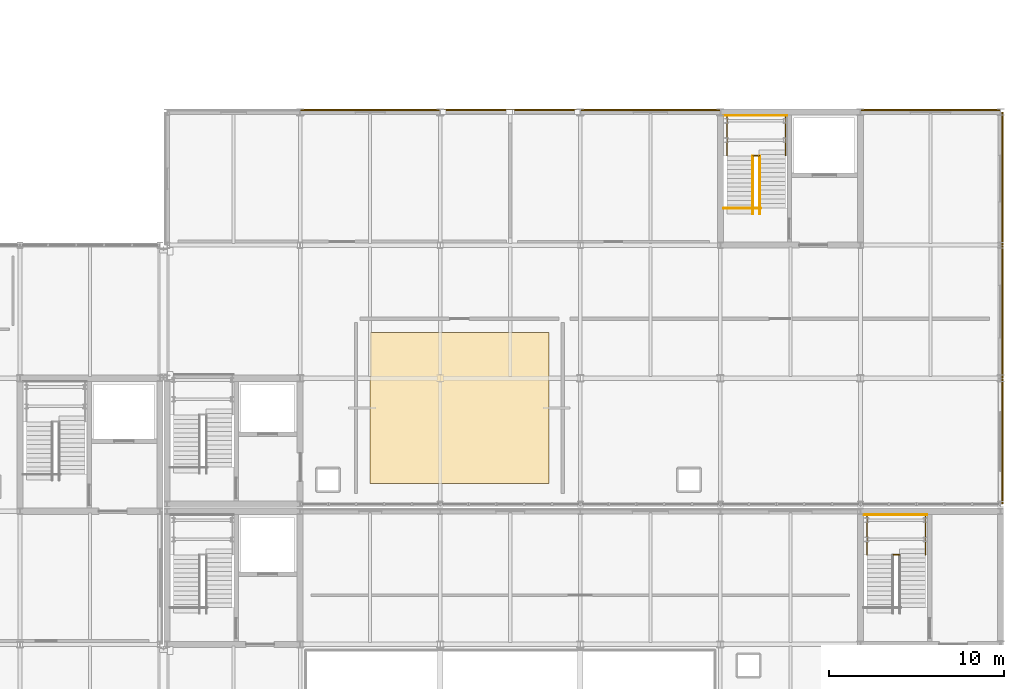
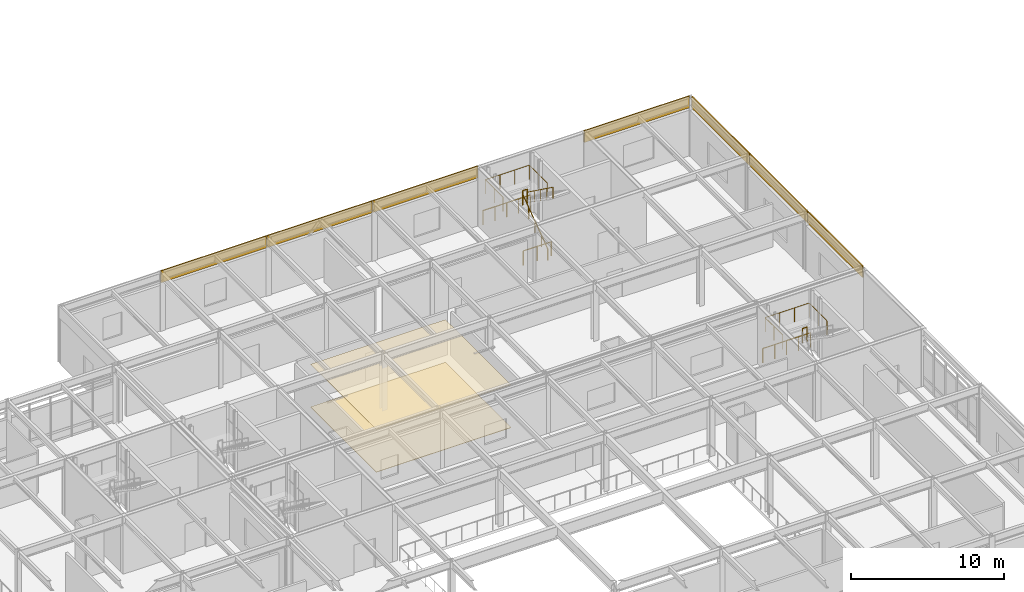
# One storey, part 104 of 104: 9 coverings, 9 railings.
"""IFC4 building model written with IfcOpenShell, lengths in metres."""

from ifc_helpers import new_model, si_unit, direction, frame, origin, origin_2d, place, context, subcontext, project, spatial, polyline, rectangle, circle, outline, extrude, material, layer, layer_set, type_object, element, save


model = new_model("IFC4")

# Units and contexts
model_context = context("Model", 3, precision=1e-05, world=origin(), true_north=direction((0.0, 1.0)))
body_context = subcontext(model_context, "Body", "Model", "MODEL_VIEW")
ifc_project = project(units=[si_unit("LENGTHUNIT", "METRE"), si_unit("AREAUNIT", "SQUARE_METRE"), si_unit("VOLUMEUNIT", "CUBIC_METRE"), si_unit("PLANEANGLEUNIT", "RADIAN"), si_unit("MASSUNIT", "GRAM", prefix="KILO")], contexts=[model_context])

# Site, building, storey
site_placement = place(None, origin())
site = spatial("IfcSite", under=ifc_project, at=site_placement, CompositionType="ELEMENT")
building_placement = place(site_placement, origin())
building = spatial("IfcBuilding", under=site, at=building_placement, Name="Zulena Civic Courthouse", CompositionType="ELEMENT")
storey_placement = place(building_placement, frame((0.0, 0.0, 10.800048828125)))
storey = spatial("IfcBuildingStorey", under=building, at=storey_placement, Name="L02", CompositionType="ELEMENT", Elevation=10.800048828125)

# Covering
ifc_material_1 = material(Name="Perforated acoustic mineral-fibre ceiling tile", Category="concrete")
ifc_layer_1 = layer(ifc_material_1, 0.02490234375)
ifc_layer_set_1 = layer_set([ifc_layer_1], Name="Perforated acoustic mineral-fibre ceiling tile")
covering_type_1 = type_object("IfcCoveringType", Name="AcousticCeiling_25", PredefinedType="CEILING", material=ifc_layer_set_1)
covering_1_placement = place(storey_placement, frame((0.0, 0.0, 3.419921875)))
element("IfcCovering", 1, at=covering_1_placement, inside=storey, type_object=covering_type_1, Name="ceil:L02:269", PredefinedType="CEILING", context=body_context, shape_type="SweptSolid", body=[
    extrude(outline(polyline([(136.0, 32.0), (146.199951171875, 32.0), (146.199951171875, 40.60009765625), (136.0, 40.60009765625), (136.0, 32.0)])), origin(), (0.0, 0.0, 1.0), 0.025146484375),
])

# Railings
ifc_material_2 = material(Name="Brushed architectural steel ASTM A36", Category="steel")
railing_type_1 = type_object("IfcRailingType", Name="InteriorGuardrail_1150", PredefinedType="GUARDRAIL", material=ifc_material_2)
railing_1_placement = place(storey_placement, frame((164.199951171875, 30.2099609375, 0.0)))
element("IfcRailing", 2, at=railing_1_placement, inside=storey, type_object=railing_type_1, Name="gr:wellN:K1B:L01", PredefinedType="GUARDRAIL", context=body_context, shape_type="SweptSolid", body=[
    extrude(circle(Radius=0.02392578125, at=origin_2d()), frame((0.00390625, 0.0, 1.1259765625), z_axis=(1.0, 0.0, 0.0), x_axis=(0.0, 1.0, 0.0)), (0.0, 0.0, 1.0), 3.592041015625),
    extrude(circle(Radius=0.02099609375, at=origin_2d()), origin(), (0.0, 0.0, 1.0), 1.097900390625),
    extrude(circle(Radius=0.02099609375, at=origin_2d()), frame((0.89990234375, 0.0, 0.0)), (0.0, 0.0, 1.0), 1.097900390625),
    extrude(circle(Radius=0.02099609375, at=origin_2d()), frame((1.800048828125, 0.0, 0.0)), (0.0, 0.0, 1.0), 1.097900390625),
    extrude(circle(Radius=0.02099609375, at=origin_2d()), frame((2.7001953125, 0.0, 0.0)), (0.0, 0.0, 1.0), 1.097900390625),
    extrude(circle(Radius=0.02099609375, at=origin_2d()), frame((3.60009765625, 0.0, 0.0)), (0.0, 0.0, 1.0), 1.097900390625),
])
railing_2_placement = place(storey_placement, frame((164.3798828125, 27.89453125, 2.39990234375)))
element("IfcRailing", 3, at=railing_2_placement, inside=storey, type_object=railing_type_1, Name="gr:lnd:K1B:L02", PredefinedType="GUARDRAIL", context=body_context, shape_type="SweptSolid", body=[
    extrude(circle(Radius=0.02392578125, at=origin_2d()), frame((0.0, 0.00390625, 1.1259765625), z_axis=(0.0, 1.0, 0.0), x_axis=(-1.0, 0.0, 0.0)), (0.0, 0.0, 1.0), 2.3173828125),
    extrude(circle(Radius=0.02392578125, at=origin_2d()), frame((0.00390625, 2.325439453125, 1.1259765625), z_axis=(1.0, 0.0, 0.0), x_axis=(0.0, 1.0, 0.0)), (0.0, 0.0, 1.0), 3.33203125),
    extrude(circle(Radius=0.02392578125, at=origin_2d()), frame((3.340087890625, 2.321533203125, 1.1259765625), z_axis=(0.0, -1.0, 0.0), x_axis=(1.0, 0.0, 0.0)), (0.0, 0.0, 1.0), 2.3173828125),
    extrude(circle(Radius=0.02099609375, at=origin_2d()), origin(), (0.0, 0.0, 1.0), 1.097900390625),
    extrude(circle(Radius=0.02099609375, at=origin_2d()), frame((0.0, 1.16259765625, 0.0)), (0.0, 0.0, 1.0), 1.097900390625),
    extrude(circle(Radius=0.02099609375, at=origin_2d()), frame((0.0, 2.325439453125, 0.0)), (0.0, 0.0, 1.0), 1.097900390625),
    extrude(circle(Radius=0.02099609375, at=origin_2d()), frame((1.11328125, 2.325439453125, 0.0)), (0.0, 0.0, 1.0), 1.097900390625),
    extrude(circle(Radius=0.02099609375, at=origin_2d()), frame((2.226806640625, 2.325439453125, 0.0)), (0.0, 0.0, 1.0), 1.097900390625),
    extrude(circle(Radius=0.02099609375, at=origin_2d()), frame((3.340087890625, 2.325439453125, 0.0)), (0.0, 0.0, 1.0), 1.097900390625),
    extrude(circle(Radius=0.02099609375, at=origin_2d()), frame((3.340087890625, 1.16259765625, 0.0)), (0.0, 0.0, 1.0), 1.097900390625),
    extrude(circle(Radius=0.02099609375, at=origin_2d()), frame((3.340087890625, 0.0, 0.0)), (0.0, 0.0, 1.0), 1.097900390625),
])
railing_3_placement = place(storey_placement, frame((165.8798828125, 27.9150390625, 2.39990234375)))
element("IfcRailing", 4, at=railing_3_placement, inside=storey, type_object=railing_type_1, Name="gr:lndslot:K1B:L02", PredefinedType="GUARDRAIL", context=body_context, shape_type="SweptSolid", body=[
    extrude(circle(Radius=0.02392578125, at=origin_2d()), frame((0.00390625, 0.0, 1.1259765625), z_axis=(1.0, 0.0, 0.0), x_axis=(0.0, 1.0, 0.0)), (0.0, 0.0, 1.0), 0.33203125),
    extrude(circle(Radius=0.02099609375, at=origin_2d()), origin(), (0.0, 0.0, 1.0), 1.097900390625),
    extrude(circle(Radius=0.02099609375, at=origin_2d()), frame((0.340087890625, 0.0, 0.0)), (0.0, 0.0, 1.0), 1.097900390625),
])
railing_4_placement = place(storey_placement, frame((156.199951171875, 53.010009765625, 0.0)))
element("IfcRailing", 5, at=railing_4_placement, inside=storey, type_object=railing_type_1, Name="gr:wellN:K3B:L01", PredefinedType="GUARDRAIL", context=body_context, shape_type="SweptSolid", body=[
    extrude(circle(Radius=0.02392578125, at=origin_2d()), frame((0.00390625, 0.0, 1.1259765625), z_axis=(1.0, 0.0, 0.0), x_axis=(0.0, 1.0, 0.0)), (0.0, 0.0, 1.0), 3.592041015625),
    extrude(circle(Radius=0.02099609375, at=origin_2d()), origin(), (0.0, 0.0, 1.0), 1.097900390625),
    extrude(circle(Radius=0.02099609375, at=origin_2d()), frame((0.89990234375, 0.0, 0.0)), (0.0, 0.0, 1.0), 1.097900390625),
    extrude(circle(Radius=0.02099609375, at=origin_2d()), frame((1.800048828125, 0.0, 0.0)), (0.0, 0.0, 1.0), 1.097900390625),
    extrude(circle(Radius=0.02099609375, at=origin_2d()), frame((2.7001953125, 0.0, 0.0)), (0.0, 0.0, 1.0), 1.097900390625),
    extrude(circle(Radius=0.02099609375, at=origin_2d()), frame((3.60009765625, 0.0, 0.0)), (0.0, 0.0, 1.0), 1.097900390625),
])
railing_5_placement = place(storey_placement, frame((156.179931640625, 47.699951171875, 0.0)))
element("IfcRailing", 6, at=railing_5_placement, inside=storey, type_object=railing_type_1, Name="gr:wells:K3B:L02", PredefinedType="GUARDRAIL", context=body_context, shape_type="SweptSolid", body=[
    extrude(circle(Radius=0.02392578125, at=origin_2d()), frame((0.00390625, 0.0, 1.1259765625), z_axis=(1.0, 0.0, 0.0), x_axis=(0.0, 1.0, 0.0)), (0.0, 0.0, 1.0), 2.112060546875),
    extrude(circle(Radius=0.02099609375, at=origin_2d()), origin(), (0.0, 0.0, 1.0), 1.097900390625),
    extrude(circle(Radius=0.02099609375, at=origin_2d()), frame((1.06005859375, 0.0, 0.0)), (0.0, 0.0, 1.0), 1.097900390625),
    extrude(circle(Radius=0.02099609375, at=origin_2d()), frame((2.1201171875, 0.0, 0.0)), (0.0, 0.0, 1.0), 1.097900390625),
])
railing_6_placement = place(storey_placement, frame((156.3798828125, 50.694580078125, 2.39990234375)))
element("IfcRailing", 7, at=railing_6_placement, inside=storey, type_object=railing_type_1, Name="gr:lnd:K3B:L02", PredefinedType="GUARDRAIL", context=body_context, shape_type="SweptSolid", body=[
    extrude(circle(Radius=0.02392578125, at=origin_2d()), frame((0.0, 0.00390625, 1.1259765625), z_axis=(0.0, 1.0, 0.0), x_axis=(-1.0, 0.0, 0.0)), (0.0, 0.0, 1.0), 2.3173828125),
    extrude(circle(Radius=0.02392578125, at=origin_2d()), frame((0.00390625, 2.325439453125, 1.1259765625), z_axis=(1.0, 0.0, 0.0), x_axis=(0.0, 1.0, 0.0)), (0.0, 0.0, 1.0), 3.33203125),
    extrude(circle(Radius=0.02392578125, at=origin_2d()), frame((3.340087890625, 2.321533203125, 1.1259765625), z_axis=(0.0, -1.0, 0.0), x_axis=(1.0, 0.0, 0.0)), (0.0, 0.0, 1.0), 2.3173828125),
    extrude(circle(Radius=0.02099609375, at=origin_2d()), origin(), (0.0, 0.0, 1.0), 1.097900390625),
    extrude(circle(Radius=0.02099609375, at=origin_2d()), frame((0.0, 1.16259765625, 0.0)), (0.0, 0.0, 1.0), 1.097900390625),
    extrude(circle(Radius=0.02099609375, at=origin_2d()), frame((0.0, 2.325439453125, 0.0)), (0.0, 0.0, 1.0), 1.097900390625),
    extrude(circle(Radius=0.02099609375, at=origin_2d()), frame((1.11328125, 2.325439453125, 0.0)), (0.0, 0.0, 1.0), 1.097900390625),
    extrude(circle(Radius=0.02099609375, at=origin_2d()), frame((2.226806640625, 2.325439453125, 0.0)), (0.0, 0.0, 1.0), 1.097900390625),
    extrude(circle(Radius=0.02099609375, at=origin_2d()), frame((3.340087890625, 2.325439453125, 0.0)), (0.0, 0.0, 1.0), 1.097900390625),
    extrude(circle(Radius=0.02099609375, at=origin_2d()), frame((3.340087890625, 1.16259765625, 0.0)), (0.0, 0.0, 1.0), 1.097900390625),
    extrude(circle(Radius=0.02099609375, at=origin_2d()), frame((3.340087890625, 0.0, 0.0)), (0.0, 0.0, 1.0), 1.097900390625),
])
railing_7_placement = place(storey_placement, frame((157.8798828125, 50.715087890625, 2.39990234375)))
element("IfcRailing", 8, at=railing_7_placement, inside=storey, type_object=railing_type_1, Name="gr:lndslot:K3B:L02", PredefinedType="GUARDRAIL", context=body_context, shape_type="SweptSolid", body=[
    extrude(circle(Radius=0.02392578125, at=origin_2d()), frame((0.00390625, 0.0, 1.1259765625), z_axis=(1.0, 0.0, 0.0), x_axis=(0.0, 1.0, 0.0)), (0.0, 0.0, 1.0), 0.33203125),
    extrude(circle(Radius=0.02099609375, at=origin_2d()), origin(), (0.0, 0.0, 1.0), 1.097900390625),
    extrude(circle(Radius=0.02099609375, at=origin_2d()), frame((0.340087890625, 0.0, 0.0)), (0.0, 0.0, 1.0), 1.097900390625),
])

# Coverings
ifc_material_3 = material(Name="White architectural precast concrete C40/50", Category="concrete")
ifc_layer_2 = layer(ifc_material_3, 0.0849609375)
ifc_layer_set_2 = layer_set([ifc_layer_2], Name="White architectural precast concrete C40/50")
covering_type_2 = type_object("IfcCoveringType", Name="PrecastSpandrelCladding_85", PredefinedType="CLADDING", material=ifc_layer_set_2)
for number, where, z_axis, x_axis, name in (
    (9, (136.0, 53.320068359375, 3.659912109375), (0.0, 0.0, 1.0), (1.0, 0.0, 0.0), "clad:sp:V3:L02:1:1"),
    (10, (144.0, 53.320068359375, 3.659912109375), (0.0, 0.0, 1.0), (1.0, 0.0, 0.0), "clad:sp:V3:L02:1:2"),
    (11, (152.0, 53.320068359375, 3.659912109375), (0.0, 0.0, 1.0), (1.0, 0.0, 0.0), "clad:sp:V3:L02:1:3"),
    (12, (168.0, 53.320068359375, 3.659912109375), (0.0, 0.0, 1.0), (1.0, 0.0, 0.0), "clad:sp:V3:L02:1:5"),
):
    element("IfcCovering", number, at=place(storey_placement, frame(where, z_axis=z_axis, x_axis=x_axis)), inside=storey, type_object=covering_type_2, Name=name, PredefinedType="CLADDING", context=body_context, shape_type="SweptSolid", body=[
        extrude(rectangle(XDim=7.9599609375, YDim=0.0849609375, at=origin_2d()), origin(), (0.0, 0.0, 1.0), 0.93994140625),
    ])
for number, where, z_axis, x_axis, name in (
    (13, (172.1201171875, 49.39990234375, 3.659912109375), (0.0, 0.0, 1.0), (0.0, -1.0, 0.0), "clad:sp:V3:L02:2:0"),
    (14, (172.1201171875, 41.800048828125, 3.659912109375), (0.0, 0.0, 1.0), (0.0, -1.0, 0.0), "clad:sp:V3:L02:2:1"),
):
    element("IfcCovering", number, at=place(storey_placement, frame(where, z_axis=z_axis, x_axis=x_axis)), inside=storey, type_object=covering_type_2, Name=name, PredefinedType="CLADDING", context=body_context, shape_type="SweptSolid", body=[
        extrude(rectangle(XDim=7.56005859375, YDim=0.0849609375, at=origin_2d()), origin(), (0.0, 0.0, 1.0), 0.93994140625),
    ])
covering_2_placement = place(storey_placement, frame((172.1201171875, 34.39990234375, 3.659912109375), z_axis=(0.0, 0.0, 1.0), x_axis=(0.0, -1.0, 0.0)))
element("IfcCovering", 15, at=covering_2_placement, inside=storey, type_object=covering_type_2, Name="clad:sp:V3:L02:2:2", PredefinedType="CLADDING", context=body_context, shape_type="SweptSolid", body=[
    extrude(rectangle(XDim=7.159912109375, YDim=0.0849609375, at=origin_2d()), origin(), (0.0, 0.0, 1.0), 0.93994140625),
])

# Railings
railing_type_2 = type_object("IfcRailingType", Name="StairHandrail_920", PredefinedType="HANDRAIL", material=ifc_material_2)
railing_8_placement = place(storey_placement, frame((157.85009765625, 47.3798828125, 0.0)))
element("IfcRailing", 16, at=railing_8_placement, inside=storey, type_object=railing_type_2, Name="hr:K3B:L02:1", PredefinedType="HANDRAIL", context=body_context, shape_type="SweptSolid", body=[
    extrude(circle(Radius=0.02392578125, at=origin_2d()), frame((0.0, 0.003173828125, 0.898193359375), z_axis=(0.0, 0.80998804985, 0.586446382119), x_axis=(-1.0, 0.0, 0.0)), (0.0, 0.0, 1.0), 4.084228515625),
    extrude(circle(Radius=0.02099609375, at=origin_2d()), origin(), (0.0, 0.0, 1.0), 0.867919921875),
    extrude(circle(Radius=0.02099609375, at=origin_2d()), frame((0.0, 0.82861328125, 0.60009765625)), (0.0, 0.0, 1.0), 0.867919921875),
    extrude(circle(Radius=0.02099609375, at=origin_2d()), frame((0.0, 1.6572265625, 1.199951171875)), (0.0, 0.0, 1.0), 0.867919921875),
    extrude(circle(Radius=0.02099609375, at=origin_2d()), frame((0.0, 2.486083984375, 1.7998046875)), (0.0, 0.0, 1.0), 0.867919921875),
    extrude(circle(Radius=0.02099609375, at=origin_2d()), frame((0.0, 3.314697265625, 2.39990234375)), (0.0, 0.0, 1.0), 0.867919921875),
])
railing_9_placement = place(storey_placement, frame((158.25, 50.694580078125, 2.39990234375)))
element("IfcRailing", 17, at=railing_9_placement, inside=storey, type_object=railing_type_2, Name="hr:K3B:L02:2", PredefinedType="HANDRAIL", context=body_context, shape_type="SweptSolid", body=[
    extrude(circle(Radius=0.02392578125, at=origin_2d()), frame((0.0, -0.003173828125, 0.898193359375), z_axis=(0.0, -0.809959711079, 0.586485521074), x_axis=(1.0, 0.0, 0.0)), (0.0, 0.0, 1.0), 4.08447265625),
    extrude(circle(Radius=0.02099609375, at=origin_2d()), origin(), (0.0, 0.0, 1.0), 0.867919921875),
    extrude(circle(Radius=0.02099609375, at=origin_2d()), frame((0.0, -0.82861328125, 0.60009765625)), (0.0, 0.0, 1.0), 0.867919921875),
    extrude(circle(Radius=0.02099609375, at=origin_2d()), frame((0.0, -1.6572265625, 1.2001953125)), (0.0, 0.0, 1.0), 0.867919921875),
    extrude(circle(Radius=0.02099609375, at=origin_2d()), frame((0.0, -2.486083984375, 1.800048828125)), (0.0, 0.0, 1.0), 0.867919921875),
    extrude(circle(Radius=0.02099609375, at=origin_2d()), frame((0.0, -3.314697265625, 2.400146484375)), (0.0, 0.0, 1.0), 0.867919921875),
])

# Covering
ifc_material_4 = material(Name="Honed travertine stone flooring", Category="masonry")
ifc_layer_3 = layer(ifc_material_4, 0.030029296875)
ifc_layer_set_3 = layer_set([ifc_layer_3], Name="Honed travertine stone flooring")
covering_type_3 = type_object("IfcCoveringType", Name="TravertineFlooring_30", PredefinedType="FLOORING", material=ifc_layer_set_3)
covering_3_placement = place(storey_placement, origin())
element("IfcCovering", 18, at=covering_3_placement, inside=storey, type_object=covering_type_3, Name="floor:L02:269", PredefinedType="FLOORING", context=body_context, shape_type="SweptSolid", body=[
    extrude(outline(polyline([(136.0, 32.0), (146.199951171875, 32.0), (146.199951171875, 40.60009765625), (136.0, 40.60009765625), (136.0, 32.0)])), origin(), (0.0, 0.0, 1.0), 0.030029296875),
])

save(model, "model.ifc")
